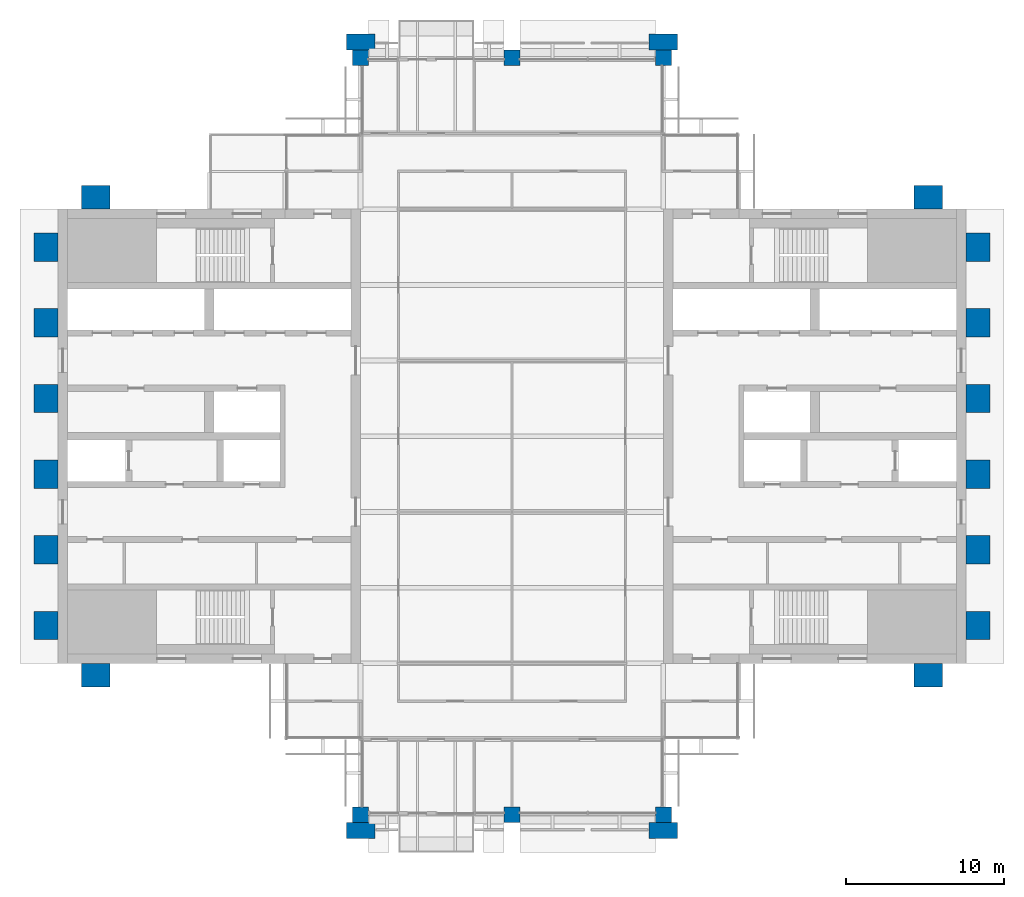
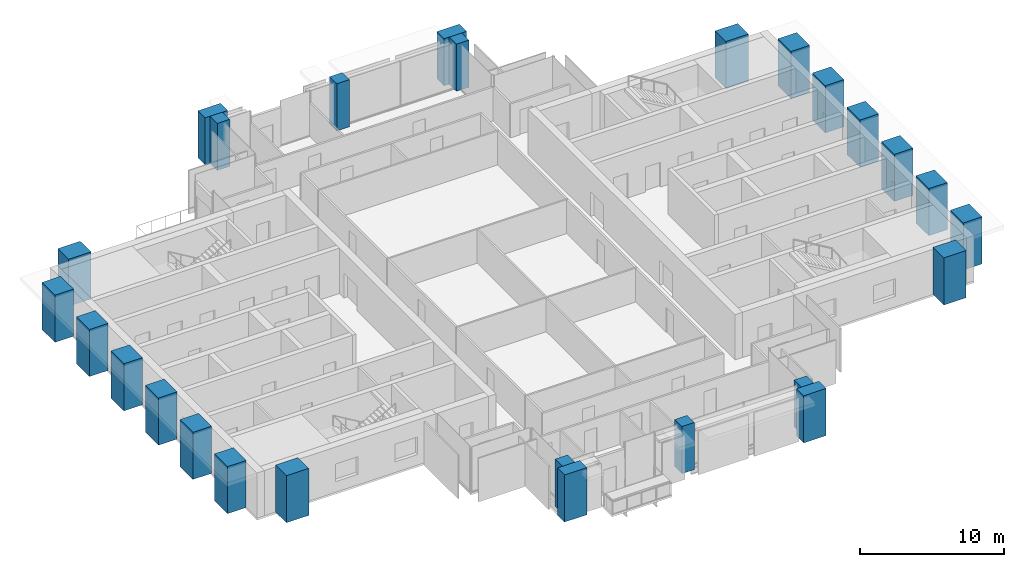
# One storey, part 1 of 14: 26 columns.
"""IFC4 building model written with IfcOpenShell, lengths in metres."""

from ifc_helpers import new_model, si_unit, direction, frame, origin, origin_2d, place, context, subcontext, project, spatial, rectangle, extrude, material, material_profile, profile_set, type_object, element, save


model = new_model("IFC4")

# Units and contexts
model_context = context("Model", 3, precision=1e-05, world=origin(), true_north=direction((0.0, 1.0)))
body_context = subcontext(model_context, "Body", "Model", "MODEL_VIEW")
ifc_project = project(units=[si_unit("LENGTHUNIT", "METRE"), si_unit("AREAUNIT", "SQUARE_METRE"), si_unit("VOLUMEUNIT", "CUBIC_METRE"), si_unit("PLANEANGLEUNIT", "RADIAN"), si_unit("MASSUNIT", "GRAM", prefix="KILO")], contexts=[model_context])

# Site, building, storey
site_placement = place(None, origin())
site = spatial("IfcSite", under=ifc_project, at=site_placement, CompositionType="ELEMENT")
building_placement = place(site_placement, origin())
building = spatial("IfcBuilding", under=site, at=building_placement, Name="Baori Bourse Tower", CompositionType="ELEMENT")
storey_placement = place(building_placement, frame((0.0, 0.0, 290.300048828125)))
storey = spatial("IfcBuildingStorey", under=building, at=storey_placement, Name="L63", CompositionType="ELEMENT", Elevation=290.300048828125)

# Columns
ifc_material_1 = material(Name="Concrete f'c 60 MPa", Category="concrete")
ifc_material_profile_1 = material_profile(ifc_material_1, rectangle(XDim=1.800048828125, YDim=1.0, at=origin_2d()), Name="RC 1800x1000")
ifc_profile_set_1 = profile_set([ifc_material_profile_1], Name="Concrete f'c 60 MPa")
column_type_1 = type_object("IfcColumnType", Name="FN3 Brick pilaster 1800x1000", PredefinedType="PILASTER", material=ifc_profile_set_1)
for number, where, z_axis, x_axis, name in (
    (1, (19.199951171875, -1.0, 0.0), (0.0, 0.0, 1.0), (1.0, 0.0, 0.0), "Brick pilaster L63 17"),
    (2, (38.39990234375, -1.0, 0.0), (0.0, 0.0, 1.0), (1.0, 0.0, 0.0), "Brick pilaster L63 18"),
    (3, (19.199951171875, 49.0, 0.0), (0.0, 0.0, 1.0), (1.0, 0.0, 0.0), "Brick pilaster L63 19"),
    (4, (38.39990234375, 49.0, 0.0), (0.0, 0.0, 1.0), (1.0, 0.0, 0.0), "Brick pilaster L63 20"),
):
    element("IfcColumn", number, at=place(storey_placement, frame(where, z_axis=z_axis, x_axis=x_axis)), inside=storey, type_object=column_type_1, Name=name, PredefinedType="PILASTER", context=body_context, shape_type="SweptSolid", body=[
        extrude(rectangle(XDim=1.800048828125, YDim=1.0, at=origin_2d()), origin(), (0.0, 0.0, 1.0), 4.0),
    ])
ifc_material_2 = material(Name="Concrete f'c 60 MPa", Category="concrete")
ifc_material_profile_2 = material_profile(ifc_material_2, rectangle(XDim=1.800048828125, YDim=1.5, at=origin_2d()), Name="RC 1800x1500")
ifc_profile_set_2 = profile_set([ifc_material_profile_2], Name="Concrete f'c 60 MPa")
column_type_2 = type_object("IfcColumnType", Name="FN4 Brick flank pilaster 1800x1500", PredefinedType="PILASTER", material=ifc_profile_set_2)
for number, where, z_axis, x_axis, name in (
    (5, (55.199951171875, 8.85009765625, 0.0), (0.0, 0.0, 1.0), (1.0, 0.0, 0.0), "Brick pilaster L63 1"),
    (6, (58.35009765625, 12.0, 0.0), (0.0, 0.0, 1.0), (0.0, 1.0, 0.0), "Brick pilaster L63 2"),
    (7, (58.35009765625, 16.800048828125, 0.0), (0.0, 0.0, 1.0), (0.0, 1.0, 0.0), "Brick pilaster L63 3"),
    (8, (58.35009765625, 21.60009765625, 0.0), (0.0, 0.0, 1.0), (0.0, 1.0, 0.0), "Brick pilaster L63 4"),
    (9, (58.35009765625, 26.39990234375, 0.0), (0.0, 0.0, 1.0), (0.0, 1.0, 0.0), "Brick pilaster L63 5"),
    (10, (58.35009765625, 31.199951171875, 0.0), (0.0, 0.0, 1.0), (0.0, 1.0, 0.0), "Brick pilaster L63 6"),
    (11, (58.35009765625, 36.0, 0.0), (0.0, 0.0, 1.0), (0.0, 1.0, 0.0), "Brick pilaster L63 7"),
    (12, (55.199951171875, 39.14990234375, 0.0), (0.0, 0.0, 1.0), (1.0, 0.0, 0.0), "Brick pilaster L63 8"),
    (13, (2.39990234375, 39.14990234375, 0.0), (0.0, 0.0, 1.0), (1.0, 0.0, 0.0), "Brick pilaster L63 9"),
    (14, (-0.75, 12.0, 0.0), (0.0, 0.0, 1.0), (0.0, 1.0, 0.0), "Brick pilaster L63 10"),
    (15, (-0.75, 16.800048828125, 0.0), (0.0, 0.0, 1.0), (0.0, 1.0, 0.0), "Brick pilaster L63 11"),
    (16, (-0.75, 21.60009765625, 0.0), (0.0, 0.0, 1.0), (0.0, 1.0, 0.0), "Brick pilaster L63 12"),
    (17, (-0.75, 26.39990234375, 0.0), (0.0, 0.0, 1.0), (0.0, 1.0, 0.0), "Brick pilaster L63 13"),
    (18, (-0.75, 31.199951171875, 0.0), (0.0, 0.0, 1.0), (0.0, 1.0, 0.0), "Brick pilaster L63 14"),
    (19, (-0.75, 36.0, 0.0), (0.0, 0.0, 1.0), (0.0, 1.0, 0.0), "Brick pilaster L63 15"),
    (20, (2.39990234375, 8.85009765625, 0.0), (0.0, 0.0, 1.0), (1.0, 0.0, 0.0), "Brick pilaster L63 16"),
):
    element("IfcColumn", number, at=place(storey_placement, frame(where, z_axis=z_axis, x_axis=x_axis)), inside=storey, type_object=column_type_2, Name=name, PredefinedType="PILASTER", context=body_context, shape_type="SweptSolid", body=[
        extrude(rectangle(XDim=1.800048828125, YDim=1.5, at=origin_2d()), origin(), (0.0, 0.0, 1.0), 4.0),
    ])
ifc_material_3 = material(Name="Concrete f'c 40 MPa", Category="concrete")
ifc_material_profile_3 = material_profile(ifc_material_3, rectangle(XDim=1.0, YDim=1.0, at=origin_2d()), Name="RC 1000x1000")
ifc_profile_set_3 = profile_set([ifc_material_profile_3], Name="Concrete f'c 40 MPa")
column_type_3 = type_object("IfcColumnType", Name="Perimeter column 40 RC 1000x1000", PredefinedType="COLUMN", material=ifc_profile_set_3)
for number, where, z_axis, x_axis, name in (
    (21, (19.199951171875, 0.0, 0.0), (0.0, 0.0, 1.0), (1.0, 0.0, 0.0), "Perimeter column L63"),
    (22, (28.800048828125, 0.0, 0.0), (0.0, 0.0, 1.0), (1.0, 0.0, 0.0), "Perimeter column L63"),
    (23, (38.39990234375, 0.0, 0.0), (0.0, 0.0, 1.0), (1.0, 0.0, 0.0), "Perimeter column L63"),
    (24, (19.199951171875, 48.0, 0.0), (0.0, 0.0, 1.0), (1.0, 0.0, 0.0), "Perimeter column L63"),
    (25, (28.800048828125, 48.0, 0.0), (0.0, 0.0, 1.0), (1.0, 0.0, 0.0), "Perimeter column L63"),
    (26, (38.39990234375, 48.0, 0.0), (0.0, 0.0, 1.0), (1.0, 0.0, 0.0), "Perimeter column L63"),
):
    element("IfcColumn", number, at=place(storey_placement, frame(where, z_axis=z_axis, x_axis=x_axis)), inside=storey, type_object=column_type_3, Name=name, PredefinedType="COLUMN", context=body_context, shape_type="SweptSolid", body=[
        extrude(rectangle(XDim=1.0, YDim=1.0, at=origin_2d()), origin(), (0.0, 0.0, 1.0), 4.0),
    ])

save(model, "model.ifc")
